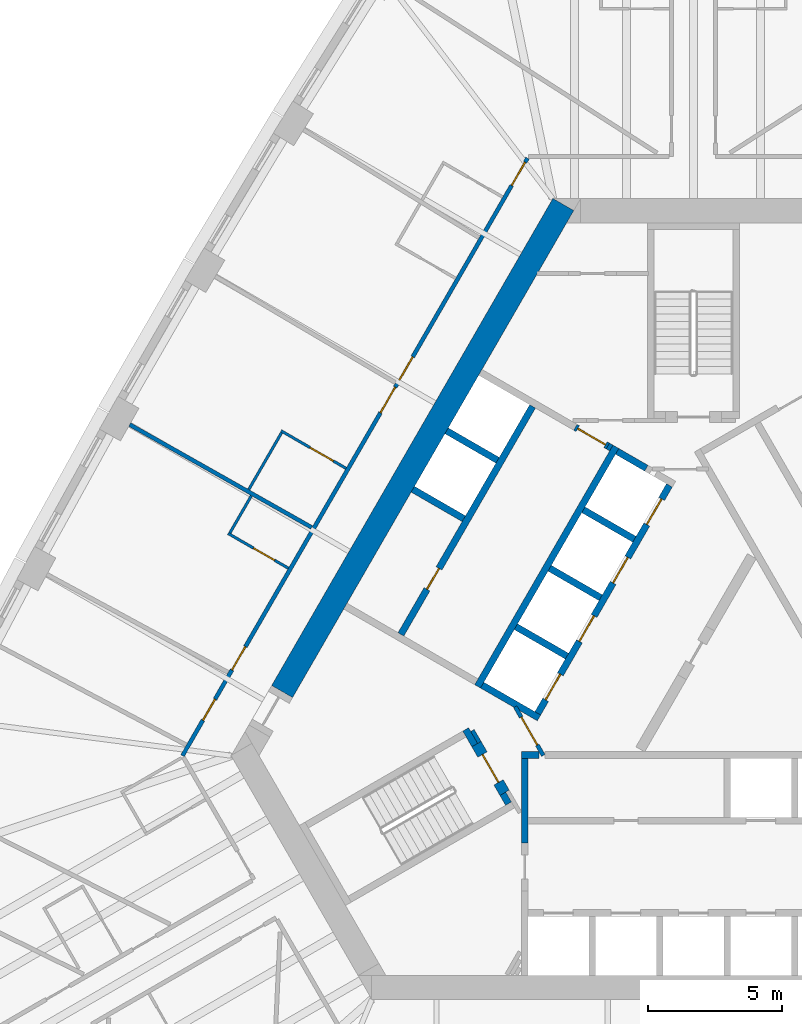
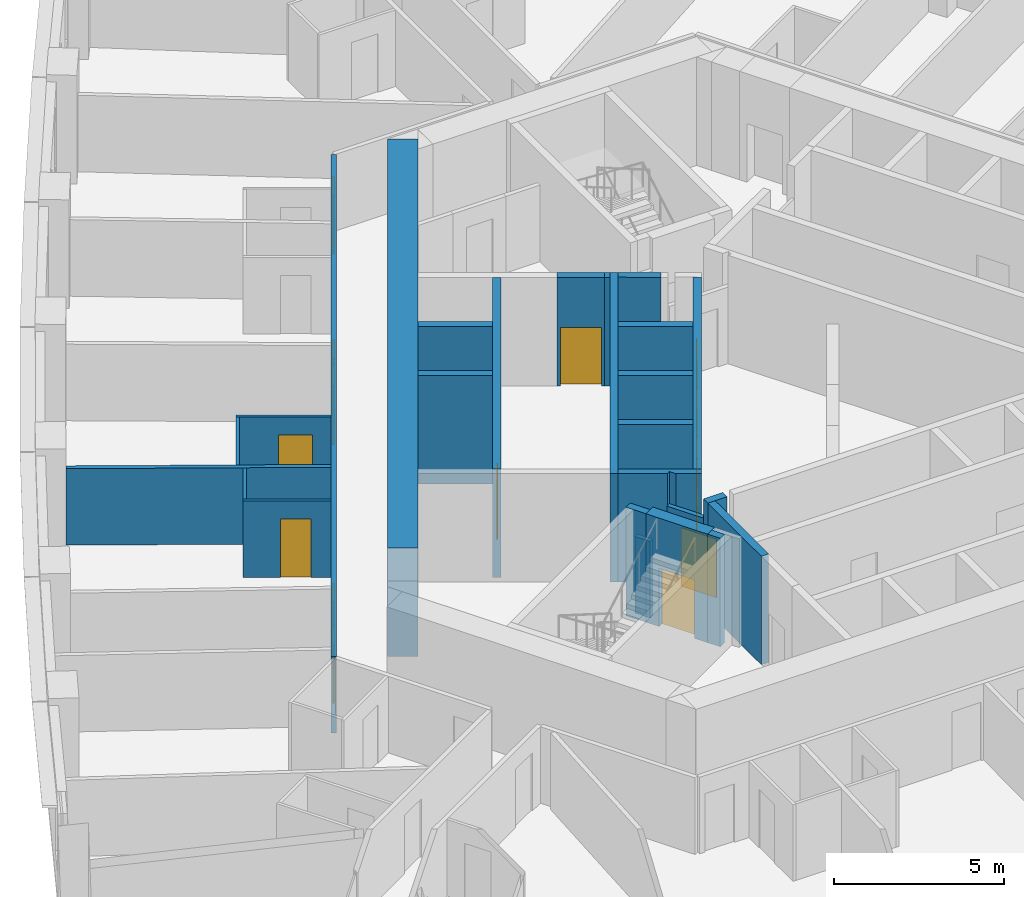
# One storey, part 5 of 13: 26 walls, 15 doors, 15 openings.
"""IFC4 building model written with IfcOpenShell, lengths in metres."""

from ifc_helpers import new_model, si_unit, direction, frame, frame_2d, origin, place, context, subcontext, project, spatial, polyline, rectangle, outline, extrude, material, layer, layer_set, type_object, element, fill, save


model = new_model("IFC4")

# Units and contexts
model_context = context("Model", 3, precision=1e-05, world=origin(), true_north=direction((0.0, 1.0)))
body_context = subcontext(model_context, "Body", "Model", "MODEL_VIEW")
ifc_project = project(units=[si_unit("LENGTHUNIT", "METRE"), si_unit("AREAUNIT", "SQUARE_METRE"), si_unit("VOLUMEUNIT", "CUBIC_METRE"), si_unit("PLANEANGLEUNIT", "RADIAN"), si_unit("MASSUNIT", "GRAM", prefix="KILO")], contexts=[model_context])

# Site, building, storey
site_placement = place(None, origin())
site = spatial("IfcSite", under=ifc_project, at=site_placement, CompositionType="ELEMENT")
building_placement = place(site_placement, origin())
building = spatial("IfcBuilding", under=site, at=building_placement, Name="Mestral Congress Tower", CompositionType="ELEMENT")
storey_placement = place(building_placement, frame((0.0, 0.0, 35.39990234375)))
storey = spatial("IfcBuildingStorey", under=building, at=storey_placement, Name="L07", CompositionType="ELEMENT", Elevation=35.39990234375)

# Wall
ifc_material_1 = material(Name="Fire-rated board partition")
ifc_layer_1 = layer(ifc_material_1, 0.14990234375)
ifc_layer_set_1 = layer_set([ifc_layer_1], Name="Fire-rated board partition")
wall_type_1 = type_object("IfcWallType", Name="Core partition 150", PredefinedType="PARTITIONING", material=ifc_layer_set_1)
wall_1_placement = place(storey_placement, frame((-8.251953125, -2.958251953125, 0.0), z_axis=(0.0, 0.0, 1.0), x_axis=(0.500174715838, -0.865924508047, 0.0)))
element("IfcWall", 1, at=wall_1_placement, inside=storey, type_object=wall_type_1, Name="L07 core wall", PredefinedType="PARTITIONING", context=body_context, shape_type="SweptSolid", body=[
    extrude(rectangle(XDim=0.513916015625, YDim=0.14990234375, at=frame_2d((0.2568359375, 0.0))), origin(), (0.0, 0.0, 1.0), 2.75),
])

# Wall, opening, door
wall_2_placement = place(storey_placement, frame((-5.606201171875, -3.8896484375, 0.0), z_axis=(0.0, 0.0, 1.0), x_axis=(-0.500027713859, 0.866009402589, 0.0)))
wall_2 = element("IfcWall", 2, at=wall_2_placement, inside=storey, type_object=wall_type_1, Name="L07 door wall", PredefinedType="PARTITIONING", context=body_context, shape_type="SweptSolid", body=[
    extrude(rectangle(XDim=2.10009765625, YDim=0.14990234375, at=frame_2d((1.050048828125, 0.0))), origin(), (0.0, 0.0, 1.0), 2.75),
])
opening_1_placement = place(wall_2_placement, frame((0.449951171875, 0.0, 0.0)))
opening_1 = element("IfcOpeningElement", 3, at=opening_1_placement, cuts=wall_2, Name="Opening CD3-FF", PredefinedType="OPENING", context=body_context, shape_type="SweptSolid", body=[
    extrude(rectangle(XDim=1.199951171875, YDim=2.10009765625, at=frame_2d((0.60009765625, 1.050048828125))), frame((0.0, 0.0849609375, 0.0), z_axis=(0.0, -1.0, 0.0), x_axis=(1.0, 0.0, 0.0)), (0.0, 0.0, 1.0), 0.169921875),
])
ifc_material_2 = material(Name="Fire-rated steel door set", Category="steel")
door_type_1 = type_object("IfcDoorType", Name="Core door CD 1200x2100", OperationType="SINGLE_SWING_LEFT", PredefinedType="DOOR", material=ifc_material_2)
door_1_placement = place(opening_1_placement, origin())
door_1 = element("IfcDoor", 4, at=door_1_placement, inside=storey, type_object=door_type_1, Name="Door CD3-FF", OperationType="SINGLE_SWING_LEFT", OverallHeight=2.10009765625, OverallWidth=1.199951171875, PredefinedType="DOOR", context=body_context, shape_type="SweptSolid", body=[
    extrude(rectangle(XDim=1.199951171875, YDim=2.10009765625, at=frame_2d((0.60009765625, 1.050048828125))), frame((0.0, 0.02490234375, 0.0), z_axis=(0.0, -1.0, 0.0), x_axis=(1.0, 0.0, 0.0)), (0.0, 0.0, 1.0), 0.050048828125),
])
fill(opening_1, door_1)

# Wall
ifc_material_3 = material(Name="Concrete C60/75", Category="concrete")
ifc_layer_2 = layer(ifc_material_3, 0.89990234375)
ifc_layer_set_2 = layer_set([ifc_layer_2], Name="Concrete C60/75")
wall_type_2 = type_object("IfcWallType", Name="Core wall RC 900", PredefinedType="SOLIDWALL", material=ifc_layer_set_2)
wall_3_placement = place(storey_placement, frame((-15.359619140625, -1.50341796875, 0.0), z_axis=(0.0, 0.0, 1.0), x_axis=(0.50000389221, 0.866023156604, 0.0)))
element("IfcWall", 5, at=wall_3_placement, inside=storey, type_object=wall_type_2, Name="L07 core wall", PredefinedType="SOLIDWALL", context=body_context, shape_type="SweptSolid", body=[
    extrude(rectangle(XDim=21.000244140625, YDim=0.89990234375, at=frame_2d((10.5, 0.0))), origin(), (0.0, 0.0, 1.0), 3.900146484375),
])

# Wall, opening, door
ifc_material_4 = material(Name="Gypsum board partition on metal studs with mineral wool", Category="composite")
ifc_layer_3 = layer(ifc_material_4, 0.10009765625)
ifc_layer_set_3 = layer_set([ifc_layer_3], Name="Gypsum board partition on metal studs with mineral wool")
wall_type_3 = type_object("IfcWallType", Name="Hotel partition wall 100", PredefinedType="PARTITIONING", material=ifc_layer_set_3)
wall_4_placement = place(storey_placement, frame((-12.972412109375, 6.830810546875, 0.0), z_axis=(0.0, 0.0, 1.0), x_axis=(-0.866018616679, 0.500011755427, 0.0)))
wall_4 = element("IfcWall", 6, at=wall_4_placement, inside=storey, type_object=wall_type_3, Name="L07-h-pod25a", PredefinedType="PARTITIONING", context=body_context, shape_type="SweptSolid", body=[
    extrude(rectangle(XDim=2.80029296875, YDim=0.10009765625, at=frame_2d((1.400146484375, 0.0))), origin(), (0.0, 0.0, 1.0), 2.75),
])
opening_2_placement = place(wall_4_placement, frame((0.550048828125, 0.0, 0.0)))
opening_2 = element("IfcOpeningElement", 7, at=opening_2_placement, cuts=wall_4, Name="Opening H01-048", PredefinedType="OPENING", context=body_context, shape_type="SweptSolid", body=[
    extrude(rectangle(XDim=1.0, YDim=2.10009765625, at=frame_2d((0.5, 1.050048828125))), frame((0.0, 0.06005859375, 0.0), z_axis=(0.0, -1.0, 0.0), x_axis=(1.0, 0.0, 0.0)), (0.0, 0.0, 1.0), 0.1201171875),
])
ifc_material_5 = material(Name="Timber veneer door leaf in timber frame", Category="wood")
door_type_2 = type_object("IfcDoorType", Name="Accessible bathroom door 1000", OperationType="SINGLE_SWING_LEFT", PredefinedType="DOOR", material=ifc_material_5)
door_2_placement = place(opening_2_placement, origin())
door_2 = element("IfcDoor", 8, at=door_2_placement, inside=storey, type_object=door_type_2, Name="L07-h-d048", OperationType="SINGLE_SWING_LEFT", OverallHeight=2.10009765625, OverallWidth=1.0, PredefinedType="DOOR", context=body_context, shape_type="SweptSolid", body=[
    extrude(rectangle(XDim=1.0, YDim=2.10009765625, at=frame_2d((0.5, 1.050048828125))), frame((0.0, 0.02490234375, 0.0), z_axis=(0.0, -1.0, 0.0), x_axis=(1.0, 0.0, 0.0)), (0.0, 0.0, 1.0), 0.050048828125),
])
fill(opening_2, door_2)

# Wall
wall_5_placement = place(storey_placement, frame((-15.379150390625, 8.16259765625, 0.0), z_axis=(0.0, 0.0, 1.0), x_axis=(-0.499987006516, -0.866032905446, 0.0)))
element("IfcWall", 9, at=wall_5_placement, inside=storey, type_object=wall_type_3, Name="L07-h-pod25b", PredefinedType="PARTITIONING", context=body_context, shape_type="SweptSolid", body=[
    extrude(rectangle(XDim=2.44970703125, YDim=0.10009765625, at=frame_2d((1.224853515625, 0.0))), origin(), (0.0, 0.0, 1.0), 2.75),
])

# Wall, opening, door
wall_6_placement = place(storey_placement, frame((-17.377685546875, 4.40087890625, 0.0), z_axis=(0.0, 0.0, 1.0), x_axis=(0.865997922154, -0.500047596559, 0.0)))
wall_6 = element("IfcWall", 10, at=wall_6_placement, inside=storey, type_object=wall_type_3, Name="L07-h-pod26a", PredefinedType="PARTITIONING", context=body_context, shape_type="SweptSolid", body=[
    extrude(rectangle(XDim=2.599853515625, YDim=0.10009765625, at=frame_2d((1.2998046875, 0.0))), origin(), (0.0, 0.0, 1.0), 2.75),
])
opening_3_placement = place(wall_6_placement, frame((1.10009765625, 0.0, 0.0)))
opening_3 = element("IfcOpeningElement", 11, at=opening_3_placement, cuts=wall_6, Name="Opening H01-050", PredefinedType="OPENING", context=body_context, shape_type="SweptSolid", body=[
    extrude(rectangle(XDim=0.89990234375, YDim=2.10009765625, at=frame_2d((0.449951171875, 1.050048828125))), frame((0.0, 0.06005859375, 0.0), z_axis=(0.0, -1.0, 0.0), x_axis=(1.0, 0.0, 0.0)), (0.0, 0.0, 1.0), 0.1201171875),
])
door_type_3 = type_object("IfcDoorType", Name="Bathroom door 900", OperationType="SINGLE_SWING_LEFT", PredefinedType="DOOR", material=ifc_material_5)
door_3_placement = place(opening_3_placement, origin())
door_3 = element("IfcDoor", 12, at=door_3_placement, inside=storey, type_object=door_type_3, Name="L07-h-d050", OperationType="SINGLE_SWING_LEFT", OverallHeight=2.10009765625, OverallWidth=0.89990234375, PredefinedType="DOOR", context=body_context, shape_type="SweptSolid", body=[
    extrude(rectangle(XDim=0.89990234375, YDim=2.10009765625, at=frame_2d((0.449951171875, 1.050048828125))), frame((0.0, 0.02490234375, 0.0), z_axis=(0.0, -1.0, 0.0), x_axis=(1.0, 0.0, 0.0)), (0.0, 0.0, 1.0), 0.050048828125),
])
fill(opening_3, door_3)

# Wall
wall_7_placement = place(storey_placement, frame((-17.309326171875, 4.419189453125, 0.0), z_axis=(0.0, 0.0, 1.0), x_axis=(0.499880961361, 0.866094119867, 0.0)))
element("IfcWall", 13, at=wall_7_placement, inside=storey, type_object=wall_type_3, Name="L07-h-pod26b", PredefinedType="PARTITIONING", context=body_context, shape_type="SweptSolid", body=[
    extrude(rectangle(XDim=1.60009765625, YDim=0.10009765625, at=frame_2d((0.800048828125, 0.0))), origin(), (0.0, 0.0, 1.0), 2.75),
])

# Wall, openings, doors
ifc_layer_4 = layer(ifc_material_4, 0.14990234375)
ifc_layer_set_4 = layer_set([ifc_layer_4], Name="Gypsum board partition on metal studs with mineral wool")
wall_type_4 = type_object("IfcWallType", Name="Hotel partition wall 150", PredefinedType="PARTITIONING", material=ifc_layer_set_4)
wall_8_placement = place(storey_placement, frame((-19.081298828125, -3.89990234375, 0.0), z_axis=(0.0, 0.0, 1.0), x_axis=(0.499998313975, 0.866026377209, 0.0)))
wall_8 = element("IfcWall", 14, at=wall_8_placement, inside=storey, type_object=wall_type_4, Name="L07-h-cw08", PredefinedType="PARTITIONING", context=body_context, shape_type="SweptSolid", body=[
    extrude(rectangle(XDim=25.76611328125, YDim=0.14990234375, at=frame_2d((12.883056640625, 0.0))), origin(), (0.0, 0.0, 1.0), 2.75),
])
opening_4_placement = place(wall_8_placement, frame((24.58642578125, 0.0, 0.0)))
opening_4 = element("IfcOpeningElement", 15, at=opening_4_placement, cuts=wall_8, Name="Opening H01-043", PredefinedType="OPENING", context=body_context, shape_type="SweptSolid", body=[
    extrude(rectangle(XDim=1.0, YDim=2.10009765625, at=frame_2d((0.5, 1.050048828125))), frame((0.0, 0.0849609375, 0.0), z_axis=(0.0, -1.0, 0.0), x_axis=(1.0, 0.0, 0.0)), (0.0, 0.0, 1.0), 0.169921875),
])
opening_5_placement = place(wall_8_placement, frame((16.19580078125, 0.0, 0.0)))
opening_5 = element("IfcOpeningElement", 16, at=opening_5_placement, cuts=wall_8, Name="Opening H01-045", PredefinedType="OPENING", context=body_context, shape_type="SweptSolid", body=[
    extrude(rectangle(XDim=1.0, YDim=2.10009765625, at=frame_2d((0.5, 1.050048828125))), frame((0.0, 0.0849609375, 0.0), z_axis=(0.0, -1.0, 0.0), x_axis=(1.0, 0.0, 0.0)), (0.0, 0.0, 1.0), 0.169921875),
])
opening_6_placement = place(wall_8_placement, frame((14.788818359375, 0.0, 0.0)))
opening_6 = element("IfcOpeningElement", 17, at=opening_6_placement, cuts=wall_8, Name="Opening H01-047", PredefinedType="OPENING", context=body_context, shape_type="SweptSolid", body=[
    extrude(rectangle(XDim=1.10009765625, YDim=2.10009765625, at=frame_2d((0.550048828125, 1.050048828125))), frame((0.0, 0.0849609375, 0.0), z_axis=(0.0, -1.0, 0.0), x_axis=(1.0, 0.0, 0.0)), (0.0, 0.0, 1.0), 0.169921875),
])
opening_7_placement = place(wall_8_placement, frame((3.6982421875, 0.0, 0.0)))
opening_7 = element("IfcOpeningElement", 18, at=opening_7_placement, cuts=wall_8, Name="Opening H01-049", PredefinedType="OPENING", context=body_context, shape_type="SweptSolid", body=[
    extrude(rectangle(XDim=1.0, YDim=2.10009765625, at=frame_2d((0.5, 1.050048828125))), frame((0.0, 0.0849609375, 0.0), z_axis=(0.0, -1.0, 0.0), x_axis=(1.0, 0.0, 0.0)), (0.0, 0.0, 1.0), 0.169921875),
])
opening_8_placement = place(wall_8_placement, frame((1.531494140625, 0.0, 0.0)))
opening_8 = element("IfcOpeningElement", 19, at=opening_8_placement, cuts=wall_8, Name="Opening H01-051", PredefinedType="OPENING", context=body_context, shape_type="SweptSolid", body=[
    extrude(rectangle(XDim=0.89990234375, YDim=2.10009765625, at=frame_2d((0.449951171875, 1.050048828125))), frame((0.0, 0.0849609375, 0.0), z_axis=(0.0, -1.0, 0.0), x_axis=(1.0, 0.0, 0.0)), (0.0, 0.0, 1.0), 0.169921875),
])
ifc_material_6 = material(Name="Timber veneer door leaf in metal frame", Category="wood")
door_type_4 = type_object("IfcDoorType", Name="Accessible room entrance door 1100", OperationType="SINGLE_SWING_LEFT", PredefinedType="DOOR", material=ifc_material_6)
door_4_placement = place(opening_6_placement, origin())
door_4 = element("IfcDoor", 20, at=door_4_placement, inside=storey, type_object=door_type_4, Name="L07-h-d047", OperationType="SINGLE_SWING_RIGHT", OverallHeight=2.10009765625, OverallWidth=1.10009765625, PredefinedType="DOOR", context=body_context, shape_type="SweptSolid", body=[
    extrude(rectangle(XDim=1.10009765625, YDim=2.10009765625, at=frame_2d((0.550048828125, 1.050048828125))), frame((0.0, 0.02490234375, 0.0), z_axis=(0.0, -1.0, 0.0), x_axis=(1.0, 0.0, 0.0)), (0.0, 0.0, 1.0), 0.050048828125),
])
fill(opening_6, door_4)
door_type_5 = type_object("IfcDoorType", Name="Guest room entrance door 1000", OperationType="SINGLE_SWING_LEFT", PredefinedType="DOOR", material=ifc_material_6)
door_5_placement = place(opening_4_placement, origin())
door_5 = element("IfcDoor", 21, at=door_5_placement, inside=storey, type_object=door_type_5, Name="L07-h-d043", OperationType="SINGLE_SWING_RIGHT", OverallHeight=2.10009765625, OverallWidth=1.0, PredefinedType="DOOR", context=body_context, shape_type="SweptSolid", body=[
    extrude(rectangle(XDim=1.0, YDim=2.10009765625, at=frame_2d((0.5, 1.050048828125))), frame((0.0, 0.02490234375, 0.0), z_axis=(0.0, -1.0, 0.0), x_axis=(1.0, 0.0, 0.0)), (0.0, 0.0, 1.0), 0.050048828125),
])
fill(opening_4, door_5)
door_6_placement = place(opening_5_placement, origin())
door_6 = element("IfcDoor", 22, at=door_6_placement, inside=storey, type_object=door_type_5, Name="L07-h-d045", OperationType="SINGLE_SWING_LEFT", OverallHeight=2.10009765625, OverallWidth=1.0, PredefinedType="DOOR", context=body_context, shape_type="SweptSolid", body=[
    extrude(rectangle(XDim=1.0, YDim=2.10009765625, at=frame_2d((0.5, 1.050048828125))), frame((0.0, 0.02490234375, 0.0), z_axis=(0.0, -1.0, 0.0), x_axis=(1.0, 0.0, 0.0)), (0.0, 0.0, 1.0), 0.050048828125),
])
fill(opening_5, door_6)
door_7_placement = place(opening_7_placement, origin())
door_7 = element("IfcDoor", 23, at=door_7_placement, inside=storey, type_object=door_type_5, Name="L07-h-d049", OperationType="SINGLE_SWING_LEFT", OverallHeight=2.10009765625, OverallWidth=1.0, PredefinedType="DOOR", context=body_context, shape_type="SweptSolid", body=[
    extrude(rectangle(XDim=1.0, YDim=2.10009765625, at=frame_2d((0.5, 1.050048828125))), frame((0.0, 0.02490234375, 0.0), z_axis=(0.0, -1.0, 0.0), x_axis=(1.0, 0.0, 0.0)), (0.0, 0.0, 1.0), 0.050048828125),
])
fill(opening_7, door_7)
door_type_6 = type_object("IfcDoorType", Name="Service room door 900", OperationType="SINGLE_SWING_LEFT", PredefinedType="DOOR", material=ifc_material_6)
door_8_placement = place(opening_8_placement, origin())
door_8 = element("IfcDoor", 24, at=door_8_placement, inside=storey, type_object=door_type_6, Name="L07-h-d051", OperationType="SINGLE_SWING_LEFT", OverallHeight=2.10009765625, OverallWidth=0.89990234375, PredefinedType="DOOR", context=body_context, shape_type="SweptSolid", body=[
    extrude(rectangle(XDim=0.89990234375, YDim=2.10009765625, at=frame_2d((0.449951171875, 1.050048828125))), frame((0.0, 0.02490234375, 0.0), z_axis=(0.0, -1.0, 0.0), x_axis=(1.0, 0.0, 0.0)), (0.0, 0.0, 1.0), 0.050048828125),
])
fill(opening_8, door_8)

# Walls
wall_9_placement = place(storey_placement, frame((-21.051513671875, 8.464111328125, 0.0), z_axis=(0.0, 0.0, 1.0), x_axis=(0.87059371954, -0.492002617368, 0.0)))
element("IfcWall", 25, at=wall_9_placement, inside=storey, type_object=wall_type_4, Name="L07-h-pw08", PredefinedType="PARTITIONING", context=body_context, shape_type="SweptSolid", body=[
    extrude(rectangle(XDim=7.803466796875, YDim=0.14990234375, at=frame_2d((3.90185546875, 0.0))), origin(), (0.0, 0.0, 1.0), 2.75),
])
ifc_layer_5 = layer(ifc_material_3, 0.25)
ifc_layer_set_5 = layer_set([ifc_layer_5], Name="Concrete C60/75")
wall_type_5 = type_object("IfcWallType", Name="Shaft wall RC 250", PredefinedType="SOLIDWALL", material=ifc_layer_set_5)
wall_10_placement = place(storey_placement, frame((-6.425048828125, -3.875, 0.0), z_axis=(0.0, 0.0, 1.0), x_axis=(1.0, 0.0, 0.0)))
element("IfcWall", 26, at=wall_10_placement, inside=storey, type_object=wall_type_5, Name="L07 core wall", PredefinedType="SOLIDWALL", context=body_context, shape_type="SweptSolid", body=[
    extrude(rectangle(XDim=0.657958984375, YDim=0.25, at=frame_2d((0.3291015625, 0.0))), origin(), (0.0, 0.0, 1.0), 3.900146484375),
])
wall_11_placement = place(storey_placement, frame((-6.300048828125, -4.0, 0.0), z_axis=(0.0, 0.0, 1.0), x_axis=(0.0, -1.0, 0.0)))
element("IfcWall", 27, at=wall_11_placement, inside=storey, type_object=wall_type_5, Name="L07 core wall", PredefinedType="SOLIDWALL", context=body_context, shape_type="SweptSolid", body=[
    extrude(rectangle(XDim=3.154296875, YDim=0.25, at=frame_2d((1.5771484375, 0.0))), origin(), (0.0, 0.0, 1.0), 3.900146484375),
])
wall_12_placement = place(storey_placement, frame((-8.06005859375, -1.310546875, 0.0), z_axis=(0.0, 0.0, 1.0), x_axis=(0.50000273126, 0.866023826885, 0.0)))
element("IfcWall", 28, at=wall_12_placement, inside=storey, type_object=wall_type_5, Name="L07 core wall", PredefinedType="SOLIDWALL", context=body_context, shape_type="SweptSolid", body=[
    extrude(rectangle(XDim=10.330078125, YDim=0.25, at=frame_2d((5.1650390625, 0.0))), origin(), (0.0, 0.0, 1.0), 3.900146484375),
])
wall_13_placement = place(storey_placement, frame((-1.760009765625, 6.835693359375, 0.0), z_axis=(0.0, 0.0, 1.0), x_axis=(-0.865952863304, 0.500125622755, 0.0)))
element("IfcWall", 29, at=wall_13_placement, inside=storey, type_object=wall_type_5, Name="L07 core wall", PredefinedType="SOLIDWALL", context=body_context, shape_type="SweptSolid", body=[
    extrude(rectangle(XDim=1.258056640625, YDim=0.25, at=frame_2d((0.62890625, 0.0))), origin(), (0.0, 0.0, 1.0), 3.900146484375),
])
for number, where, z_axis, x_axis, name in (
    (30, (-2.2041015625, 4.182373046875, 0.0), (0.0, 0.0, 1.0), (-0.866008176907, 0.50002983664, 0.0), "L07 core wall"),
    (31, (-5.369384765625, 3.10009765625, 0.0), (0.0, 0.0, 1.0), (0.866008176907, -0.50002983664, 0.0), "L07 core wall"),
    (32, (-4.72412109375, -0.182373046875, 0.0), (0.0, 0.0, 1.0), (-0.866008176907, 0.50002983664, 0.0), "L07 core wall"),
):
    element("IfcWall", number, at=place(storey_placement, frame(where, z_axis=z_axis, x_axis=x_axis)), inside=storey, type_object=wall_type_5, Name=name, PredefinedType="SOLIDWALL", context=body_context, shape_type="SweptSolid", body=[
        extrude(rectangle(XDim=2.199951171875, YDim=0.25, at=frame_2d((1.10009765625, 0.0))), origin(), (0.0, 0.0, 1.0), 3.900146484375),
    ])
placement = place(storey_placement, origin())
element("IfcWall", 33, at=placement, inside=storey, type_object=wall_type_5, Name="L07 core wall", PredefinedType="SOLIDWALL", context=body_context, shape_type="SweptSolid", body=[
    extrude(outline(polyline([(-5.921630859375, -2.256591796875), (-5.921630859375, -2.256591796875), (-5.705078125, -2.381591796875), (-5.830078125, -2.597900390625), (-6.48291015625, -2.22119140625), (-6.59130859375, -2.033447265625), (-6.59130859375, -2.033447265625), (-6.69970703125, -2.095947265625), (-7.951904296875, -1.373046875), (-7.826904296875, -1.156494140625), (-5.921630859375, -2.256591796875)])), origin(), (0.0, 0.0, 1.0), 3.900146484375),
])
element("IfcWall", 34, at=placement, inside=storey, type_object=wall_type_5, Name="L07 core wall", PredefinedType="SOLIDWALL", context=body_context, shape_type="SweptSolid", body=[
    extrude(outline(polyline([(-3.12841796875, 7.4814453125), (-3.2587890625, 7.556640625), (-3.1337890625, 7.773193359375), (-3.00341796875, 7.697998046875), (-3.12841796875, 7.4814453125)])), origin(), (0.0, 0.0, 1.0), 3.900146484375),
])
for number, where, z_axis, x_axis, name in (
    (35, (-8.57373046875, 4.949951171875, 0.0), (0.0, 0.0, 1.0), (-0.866008176907, 0.50002983664, 0.0), "L07 core wall"),
    (36, (-7.313720703125, 7.13232421875, 0.0), (0.0, 0.0, 1.0), (-0.866008176907, 0.50002983664, 0.0), "L07 core wall"),
):
    element("IfcWall", number, at=place(storey_placement, frame(where, z_axis=z_axis, x_axis=x_axis)), inside=storey, type_object=wall_type_5, Name=name, PredefinedType="SOLIDWALL", context=body_context, shape_type="SweptSolid", body=[
        extrude(rectangle(XDim=2.199951171875, YDim=0.25, at=frame_2d((1.10009765625, 0.0))), origin(), (0.0, 0.0, 1.0), 3.900146484375),
    ])

# Wall, opening, door
wall_16_placement = place(storey_placement, frame((-6.0078125, 9.14404296875, 0.0), z_axis=(0.0, 0.0, 1.0), x_axis=(-0.500006956611, -0.866021387346, 0.0)))
wall_16 = element("IfcWall", 37, at=wall_16_placement, inside=storey, type_object=wall_type_5, Name="L07 door wall", PredefinedType="SOLIDWALL", context=body_context, shape_type="SweptSolid", body=[
    extrude(rectangle(XDim=9.829833984375, YDim=0.25, at=frame_2d((4.9150390625, 0.0))), origin(), (0.0, 0.0, 1.0), 3.900146484375),
])
opening_9_placement = place(wall_16_placement, frame((6.985107421875, 0.0, 0.0)))
opening_9 = element("IfcOpeningElement", 38, at=opening_9_placement, cuts=wall_16, Name="Opening SR-NWA2", PredefinedType="OPENING", context=body_context, shape_type="SweptSolid", body=[
    extrude(rectangle(XDim=0.89990234375, YDim=2.10009765625, at=frame_2d((0.449951171875, 1.050048828125))), frame((0.0, 0.135009765625, 0.0), z_axis=(0.0, -1.0, 0.0), x_axis=(1.0, 0.0, 0.0)), (0.0, 0.0, 1.0), 0.27001953125),
])
door_type_7 = type_object("IfcDoorType", Name="Core door SR 900x2100", OperationType="SINGLE_SWING_LEFT", PredefinedType="DOOR", material=ifc_material_2)
door_9_placement = place(opening_9_placement, origin())
door_9 = element("IfcDoor", 39, at=door_9_placement, inside=storey, type_object=door_type_7, Name="Door SR-NWA2", OperationType="SINGLE_SWING_LEFT", OverallHeight=2.10009765625, OverallWidth=0.89990234375, PredefinedType="DOOR", context=body_context, shape_type="SweptSolid", body=[
    extrude(rectangle(XDim=0.89990234375, YDim=2.10009765625, at=frame_2d((0.449951171875, 1.050048828125))), frame((0.0, 0.02490234375, 0.0), z_axis=(0.0, -1.0, 0.0), x_axis=(1.0, 0.0, 0.0)), (0.0, 0.0, 1.0), 0.050048828125),
])
fill(opening_9, door_9)

# Wall, openings, doors
wall_17_placement = place(storey_placement, frame((-0.898193359375, 6.194091796875, 0.0), z_axis=(0.0, 0.0, 1.0), x_axis=(-0.499996202215, -0.866027596426, 0.0)))
wall_17 = element("IfcWall", 40, at=wall_17_placement, inside=storey, type_object=wall_type_5, Name="L07 door wall", PredefinedType="SOLIDWALL", context=body_context, shape_type="SweptSolid", body=[
    extrude(rectangle(XDim=9.830078125, YDim=0.25, at=frame_2d((4.9150390625, 0.0))), origin(), (0.0, 0.0, 1.0), 3.900146484375),
])
opening_10_placement = place(wall_17_placement, frame((0.5849609375, 0.0, 0.0)))
opening_10 = element("IfcOpeningElement", 41, at=opening_10_placement, cuts=wall_17, Name="Opening LD-NWB1", PredefinedType="OPENING", context=body_context, shape_type="SweptSolid", body=[
    extrude(rectangle(XDim=1.10009765625, YDim=2.10009765625, at=frame_2d((0.550048828125, 1.050048828125))), frame((0.0, 0.135009765625, 0.0), z_axis=(0.0, -1.0, 0.0), x_axis=(1.0, 0.0, 0.0)), (0.0, 0.0, 1.0), 0.27001953125),
])
opening_11_placement = place(wall_17_placement, frame((3.10498046875, 0.0, 0.0)))
opening_11 = element("IfcOpeningElement", 42, at=opening_11_placement, cuts=wall_17, Name="Opening LD-NWB2", PredefinedType="OPENING", context=body_context, shape_type="SweptSolid", body=[
    extrude(rectangle(XDim=1.10009765625, YDim=2.10009765625, at=frame_2d((0.550048828125, 1.050048828125))), frame((0.0, 0.135009765625, 0.0), z_axis=(0.0, -1.0, 0.0), x_axis=(1.0, 0.0, 0.0)), (0.0, 0.0, 1.0), 0.27001953125),
])
opening_12_placement = place(wall_17_placement, frame((5.625, 0.0, 0.0)))
opening_12 = element("IfcOpeningElement", 43, at=opening_12_placement, cuts=wall_17, Name="Opening LD-NWB3", PredefinedType="OPENING", context=body_context, shape_type="SweptSolid", body=[
    extrude(rectangle(XDim=1.10009765625, YDim=2.10009765625, at=frame_2d((0.550048828125, 1.050048828125))), frame((0.0, 0.135009765625, 0.0), z_axis=(0.0, -1.0, 0.0), x_axis=(1.0, 0.0, 0.0)), (0.0, 0.0, 1.0), 0.27001953125),
])
opening_13_placement = place(wall_17_placement, frame((8.14501953125, 0.0, 0.0)))
opening_13 = element("IfcOpeningElement", 44, at=opening_13_placement, cuts=wall_17, Name="Opening LD-NWB4", PredefinedType="OPENING", context=body_context, shape_type="SweptSolid", body=[
    extrude(rectangle(XDim=1.10009765625, YDim=2.10009765625, at=frame_2d((0.550048828125, 1.050048828125))), frame((0.0, 0.135009765625, 0.0), z_axis=(0.0, -1.0, 0.0), x_axis=(1.0, 0.0, 0.0)), (0.0, 0.0, 1.0), 0.27001953125),
])
door_type_8 = type_object("IfcDoorType", Name="Core door LD 1100x2100", OperationType="DOUBLE_DOOR_SLIDING", PredefinedType="DOOR", material=ifc_material_2)
door_10_placement = place(opening_10_placement, origin())
door_10 = element("IfcDoor", 45, at=door_10_placement, inside=storey, type_object=door_type_8, Name="Door LD-NWB1", OperationType="DOUBLE_DOOR_SLIDING", OverallHeight=2.10009765625, OverallWidth=1.10009765625, PredefinedType="DOOR", context=body_context, shape_type="SweptSolid", body=[
    extrude(rectangle(XDim=1.10009765625, YDim=2.10009765625, at=frame_2d((0.550048828125, 1.050048828125))), frame((0.0, 0.02490234375, 0.0), z_axis=(0.0, -1.0, 0.0), x_axis=(1.0, 0.0, 0.0)), (0.0, 0.0, 1.0), 0.050048828125),
])
fill(opening_10, door_10)
door_11_placement = place(opening_11_placement, origin())
door_11 = element("IfcDoor", 46, at=door_11_placement, inside=storey, type_object=door_type_8, Name="Door LD-NWB2", OperationType="DOUBLE_DOOR_SLIDING", OverallHeight=2.10009765625, OverallWidth=1.10009765625, PredefinedType="DOOR", context=body_context, shape_type="SweptSolid", body=[
    extrude(rectangle(XDim=1.10009765625, YDim=2.10009765625, at=frame_2d((0.550048828125, 1.050048828125))), frame((0.0, 0.02490234375, 0.0), z_axis=(0.0, -1.0, 0.0), x_axis=(1.0, 0.0, 0.0)), (0.0, 0.0, 1.0), 0.050048828125),
])
fill(opening_11, door_11)
door_12_placement = place(opening_12_placement, origin())
door_12 = element("IfcDoor", 47, at=door_12_placement, inside=storey, type_object=door_type_8, Name="Door LD-NWB3", OperationType="DOUBLE_DOOR_SLIDING", OverallHeight=2.10009765625, OverallWidth=1.10009765625, PredefinedType="DOOR", context=body_context, shape_type="SweptSolid", body=[
    extrude(rectangle(XDim=1.10009765625, YDim=2.10009765625, at=frame_2d((0.550048828125, 1.050048828125))), frame((0.0, 0.02490234375, 0.0), z_axis=(0.0, -1.0, 0.0), x_axis=(1.0, 0.0, 0.0)), (0.0, 0.0, 1.0), 0.050048828125),
])
fill(opening_12, door_12)
door_13_placement = place(opening_13_placement, origin())
door_13 = element("IfcDoor", 48, at=door_13_placement, inside=storey, type_object=door_type_8, Name="Door LD-NWB4", OperationType="DOUBLE_DOOR_SLIDING", OverallHeight=2.10009765625, OverallWidth=1.10009765625, PredefinedType="DOOR", context=body_context, shape_type="SweptSolid", body=[
    extrude(rectangle(XDim=1.10009765625, YDim=2.10009765625, at=frame_2d((0.550048828125, 1.050048828125))), frame((0.0, 0.02490234375, 0.0), z_axis=(0.0, -1.0, 0.0), x_axis=(1.0, 0.0, 0.0)), (0.0, 0.0, 1.0), 0.050048828125),
])
fill(opening_13, door_13)

# Wall, opening, door
wall_18_placement = place(storey_placement, frame((-4.40869140625, 8.364990234375, 0.0), z_axis=(0.0, 0.0, 1.0), x_axis=(0.866034573852, -0.49998411664, 0.0)))
wall_18 = element("IfcWall", 49, at=wall_18_placement, inside=storey, type_object=wall_type_5, Name="L07 door wall", PredefinedType="SOLIDWALL", context=body_context, shape_type="SweptSolid", body=[
    extrude(rectangle(XDim=1.39990234375, YDim=0.25, at=frame_2d((0.699951171875, 0.0))), origin(), (0.0, 0.0, 1.0), 3.900146484375),
])
opening_14_placement = place(wall_18_placement, frame((0.10009765625, 0.0, 0.0)))
opening_14 = element("IfcOpeningElement", 50, at=opening_14_placement, cuts=wall_18, Name="Opening LB2-WL2", PredefinedType="OPENING", context=body_context, shape_type="SweptSolid", body=[
    extrude(rectangle(XDim=1.199951171875, YDim=2.10009765625, at=frame_2d((0.60009765625, 1.050048828125))), frame((0.0, 0.135009765625, 0.0), z_axis=(0.0, -1.0, 0.0), x_axis=(1.0, 0.0, 0.0)), (0.0, 0.0, 1.0), 0.27001953125),
])
door_type_9 = type_object("IfcDoorType", Name="Core door LB 1200x2100", OperationType="SINGLE_SWING_LEFT", PredefinedType="DOOR", material=ifc_material_2)
door_14_placement = place(opening_14_placement, origin())
door_14 = element("IfcDoor", 51, at=door_14_placement, inside=storey, type_object=door_type_9, Name="Door LB2-WL2", OperationType="SINGLE_SWING_LEFT", OverallHeight=2.10009765625, OverallWidth=1.199951171875, PredefinedType="DOOR", context=body_context, shape_type="SweptSolid", body=[
    extrude(rectangle(XDim=1.199951171875, YDim=2.10009765625, at=frame_2d((0.60009765625, 1.050048828125))), frame((0.0, 0.02490234375, 0.0), z_axis=(0.0, -1.0, 0.0), x_axis=(1.0, 0.0, 0.0)), (0.0, 0.0, 1.0), 0.050048828125),
])
fill(opening_14, door_14)

# Walls
ifc_layer_6 = layer(ifc_material_3, 0.25)
ifc_layer_set_6 = layer_set([ifc_layer_6], Name="Concrete C60/75")
wall_type_6 = type_object("IfcWallType", Name="Stair wall RC 250", PredefinedType="SOLIDWALL", material=ifc_layer_set_6)
wall_19_placement = place(storey_placement, frame((-8.167724609375, -3.503173828125, 0.0), z_axis=(0.0, 0.0, 1.0), x_axis=(-0.499952099219, 0.866053057547, 0.0)))
element("IfcWall", 52, at=wall_19_placement, inside=storey, type_object=wall_type_6, Name="L07 core wall", PredefinedType="SOLIDWALL", context=body_context, shape_type="SweptSolid", body=[
    extrude(rectangle(XDim=0.6748046875, YDim=0.25, at=frame_2d((0.33740234375, 0.0))), origin(), (0.0, 0.0, 1.0), 3.900146484375),
])
wall_20_placement = place(storey_placement, frame((-6.905029296875, -5.68994140625, 0.0), z_axis=(0.0, 0.0, 1.0), x_axis=(-0.500402024738, 0.865793170242, 0.0)))
element("IfcWall", 53, at=wall_20_placement, inside=storey, type_object=wall_type_6, Name="L07 core wall", PredefinedType="SOLIDWALL", context=body_context, shape_type="SweptSolid", body=[
    extrude(rectangle(XDim=0.425048828125, YDim=0.25, at=frame_2d((0.21240234375, 0.0))), origin(), (0.0, 0.0, 1.0), 3.900146484375),
])

# Wall, opening, door
ifc_layer_7 = layer(ifc_material_3, 0.39990234375)
ifc_layer_set_7 = layer_set([ifc_layer_7], Name="Concrete C60/75")
wall_type_7 = type_object("IfcWallType", Name="Stair wall RC 250 door-wall 400", PredefinedType="SOLIDWALL", material=ifc_layer_set_7)
wall_21_placement = place(storey_placement, frame((-8.102783203125, -3.4658203125, 0.0), z_axis=(0.0, 0.0, 1.0), x_axis=(0.500078061341, -0.865980330357, 0.0)))
wall_21 = element("IfcWall", 54, at=wall_21_placement, inside=storey, type_object=wall_type_7, Name="L07 door wall", PredefinedType="SOLIDWALL", context=body_context, shape_type="SweptSolid", body=[
    extrude(rectangle(XDim=2.099853515625, YDim=0.39990234375, at=frame_2d((1.0498046875, 0.0))), origin(), (0.0, 0.0, 1.0), 3.900146484375),
])
opening_15_placement = place(wall_21_placement, frame((0.449951171875, 0.0, 0.0)))
opening_15 = element("IfcOpeningElement", 55, at=opening_15_placement, cuts=wall_21, Name="Opening ST-D3", PredefinedType="OPENING", context=body_context, shape_type="SweptSolid", body=[
    extrude(rectangle(XDim=1.199951171875, YDim=2.10009765625, at=frame_2d((0.60009765625, 1.050048828125))), frame((0.0, 0.2099609375, 0.0), z_axis=(0.0, -1.0, 0.0), x_axis=(1.0, 0.0, 0.0)), (0.0, 0.0, 1.0), 0.419921875),
])
door_type_10 = type_object("IfcDoorType", Name="Core door ST 1200x2100", OperationType="SINGLE_SWING_LEFT", PredefinedType="DOOR", material=ifc_material_2)
door_15_placement = place(opening_15_placement, origin())
door_15 = element("IfcDoor", 56, at=door_15_placement, inside=storey, type_object=door_type_10, Name="Door ST-D3", OperationType="SINGLE_SWING_LEFT", OverallHeight=2.10009765625, OverallWidth=1.199951171875, PredefinedType="DOOR", context=body_context, shape_type="SweptSolid", body=[
    extrude(rectangle(XDim=1.199951171875, YDim=2.10009765625, at=frame_2d((0.60009765625, 1.050048828125))), frame((0.0, 0.02490234375, 0.0), z_axis=(0.0, -1.0, 0.0), x_axis=(1.0, 0.0, 0.0)), (0.0, 0.0, 1.0), 0.050048828125),
])
fill(opening_15, door_15)

save(model, "model.ifc")
